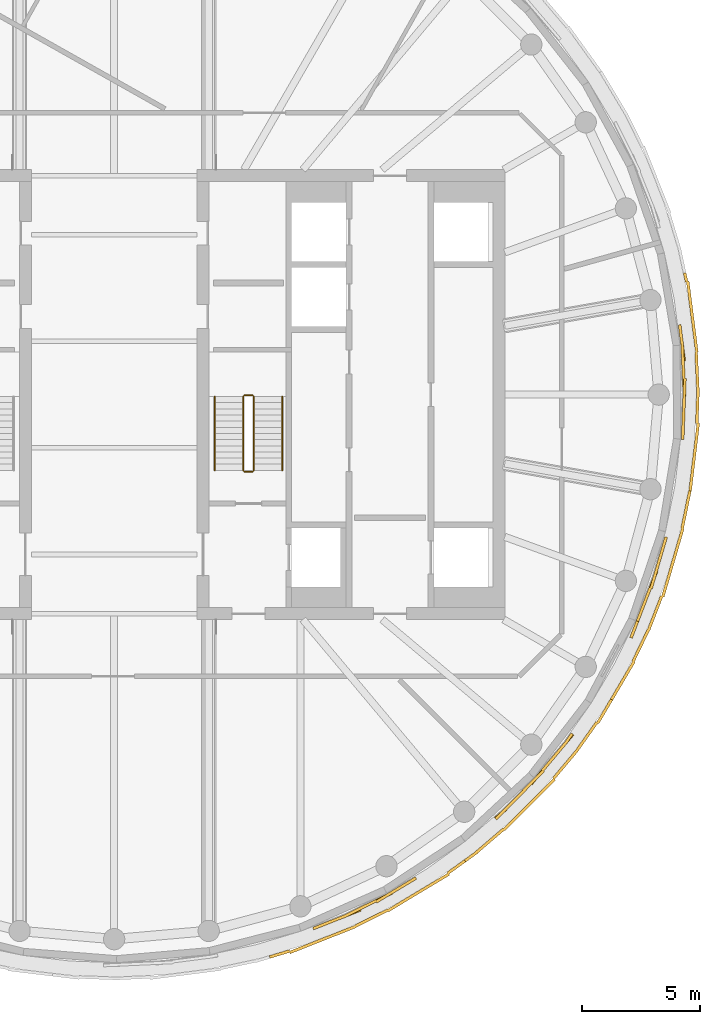
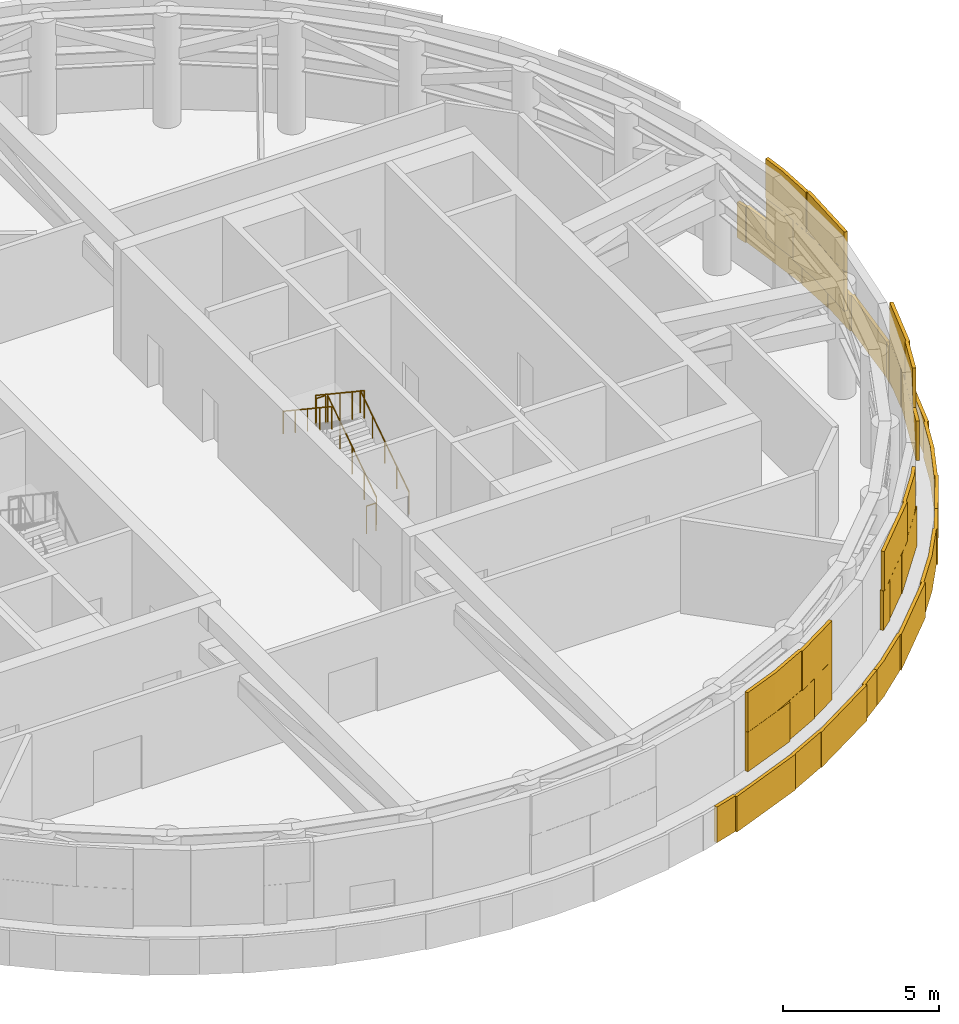
# One storey, part 13 of 15: 6 railings, 4 coverings.
"""IFC4 building model written with IfcOpenShell, lengths in metres."""

from ifc_helpers import new_model, si_unit, direction, frame, origin, origin_2d, place, context, subcontext, project, spatial, rectangle, circle, extrude, material, layer, layer_set, type_object, element, save


model = new_model("IFC4")

# Units and contexts
model_context = context("Model", 3, precision=1e-05, world=origin(), true_north=direction((0.0, 1.0)))
body_context = subcontext(model_context, "Body", "Model", "MODEL_VIEW")
ifc_project = project(units=[si_unit("LENGTHUNIT", "METRE"), si_unit("AREAUNIT", "SQUARE_METRE"), si_unit("VOLUMEUNIT", "CUBIC_METRE"), si_unit("PLANEANGLEUNIT", "RADIAN"), si_unit("MASSUNIT", "GRAM", prefix="KILO")], contexts=[model_context])

# Site, building, storey
site_placement = place(None, origin())
site = spatial("IfcSite", under=ifc_project, at=site_placement, CompositionType="ELEMENT")
building_placement = place(site_placement, origin())
building = spatial("IfcBuilding", under=site, at=building_placement, Name="Tamarind Cross Interchange Tower", CompositionType="ELEMENT")
storey_placement = place(building_placement, frame((0.0, 0.0, 252.300048828125)))
storey = spatial("IfcBuildingStorey", under=building, at=storey_placement, Name="L64", CompositionType="ELEMENT", Elevation=252.300048828125)

# Railings
ifc_material_1 = material(Name="Stair guard")
railing_type_1 = type_object("IfcRailingType", Name="Stair guard", PredefinedType="GUARDRAIL", material=ifc_material_1)
railing_1_placement = place(storey_placement, frame((5.89990234375, -3.199951171875, 0.173095703125)))
element("IfcRailing", 1, at=railing_1_placement, inside=storey, type_object=railing_type_1, Name="L64 ST2 stair guard 1", PredefinedType="GUARDRAIL", context=body_context, shape_type="SweptSolid", body=[
    extrude(circle(Radius=0.02392578125, at=origin_2d()), frame((0.0, 0.0, 1.076171875), z_axis=(0.0, 0.832420903958, 0.554143879018), x_axis=(-1.0, 0.0, 0.0)), (0.0, 0.0, 1.0), 3.748046875),
    extrude(circle(Radius=0.02099609375, at=origin_2d()), origin(), (0.0, 0.0, 1.0), 1.052001953125),
    extrude(circle(Radius=0.02099609375, at=origin_2d()), frame((0.0, 0.780029296875, 0.519287109375)), (0.0, 0.0, 1.0), 1.052001953125),
    extrude(circle(Radius=0.02099609375, at=origin_2d()), frame((0.0, 1.56005859375, 1.03857421875)), (0.0, 0.0, 1.0), 1.052001953125),
    extrude(circle(Radius=0.02099609375, at=origin_2d()), frame((0.0, 2.33984375, 1.5576171875)), (0.0, 0.0, 1.0), 1.052001953125),
    extrude(circle(Radius=0.02099609375, at=origin_2d()), frame((0.0, 3.119873046875, 2.076904296875)), (0.0, 0.0, 1.0), 1.052001953125),
])
railing_2_placement = place(storey_placement, frame((5.85009765625, -0.030029296875, 2.25)))
element("IfcRailing", 2, at=railing_2_placement, inside=storey, type_object=railing_type_1, Name="L64 ST2 stair guard 2", PredefinedType="GUARDRAIL", context=body_context, shape_type="SweptSolid", body=[
    extrude(circle(Radius=0.02392578125, at=origin_2d()), frame((0.0, 0.0, 1.076171875), z_axis=(-1.0, 0.0, 0.0), x_axis=(0.0, -1.0, 0.0)), (0.0, 0.0, 1.0), 0.35009765625),
    extrude(circle(Radius=0.02099609375, at=origin_2d()), origin(), (0.0, 0.0, 1.0), 1.052001953125),
    extrude(circle(Radius=0.02099609375, at=origin_2d()), frame((-0.35009765625, 0.0, 0.0)), (0.0, 0.0, 1.0), 1.052001953125),
])
railing_3_placement = place(storey_placement, frame((5.449951171875, -0.080078125, 2.423095703125)))
element("IfcRailing", 3, at=railing_3_placement, inside=storey, type_object=railing_type_1, Name="L64 ST2 stair guard 3", PredefinedType="GUARDRAIL", context=body_context, shape_type="SweptSolid", body=[
    extrude(circle(Radius=0.02392578125, at=origin_2d()), frame((0.0, 0.0, 1.076171875), z_axis=(0.0, -0.832420903958, 0.554143879018), x_axis=(1.0, 0.0, 0.0)), (0.0, 0.0, 1.0), 3.748046875),
    extrude(circle(Radius=0.02099609375, at=origin_2d()), origin(), (0.0, 0.0, 1.0), 1.052001953125),
    extrude(circle(Radius=0.02099609375, at=origin_2d()), frame((0.0, -0.780029296875, 0.519287109375)), (0.0, 0.0, 1.0), 1.052001953125),
    extrude(circle(Radius=0.02099609375, at=origin_2d()), frame((0.0, -1.56005859375, 1.03857421875)), (0.0, 0.0, 1.0), 1.052001953125),
    extrude(circle(Radius=0.02099609375, at=origin_2d()), frame((0.0, -2.33984375, 1.5576171875)), (0.0, 0.0, 1.0), 1.052001953125),
    extrude(circle(Radius=0.02099609375, at=origin_2d()), frame((0.0, -3.119873046875, 2.076904296875)), (0.0, 0.0, 1.0), 1.052001953125),
])
railing_4_placement = place(storey_placement, frame((5.85009765625, -3.25, 0.0)))
element("IfcRailing", 4, at=railing_4_placement, inside=storey, type_object=railing_type_1, Name="L64 ST2 stair guard 4", PredefinedType="GUARDRAIL", context=body_context, shape_type="SweptSolid", body=[
    extrude(circle(Radius=0.02392578125, at=origin_2d()), frame((0.0, 0.0, 1.076171875), z_axis=(-1.0, 0.0, 0.0), x_axis=(0.0, -1.0, 0.0)), (0.0, 0.0, 1.0), 0.35009765625),
    extrude(circle(Radius=0.02099609375, at=origin_2d()), origin(), (0.0, 0.0, 1.0), 1.052001953125),
    extrude(circle(Radius=0.02099609375, at=origin_2d()), frame((-0.35009765625, 0.0, 0.0)), (0.0, 0.0, 1.0), 1.052001953125),
])
ifc_material_2 = material(Name="Stair handrail")
railing_type_2 = type_object("IfcRailingType", Name="Stair handrail", PredefinedType="HANDRAIL", material=ifc_material_2)
railing_5_placement = place(storey_placement, frame((7.10009765625, -3.199951171875, 0.173095703125)))
element("IfcRailing", 5, at=railing_5_placement, inside=storey, type_object=railing_type_2, Name="L64 ST2 stair handrail 1", PredefinedType="HANDRAIL", context=body_context, shape_type="SweptSolid", body=[
    extrude(circle(Radius=0.02392578125, at=origin_2d()), frame((0.0, 0.0, 0.8759765625), z_axis=(0.0, 0.832420903958, 0.554143879018), x_axis=(-1.0, 0.0, 0.0)), (0.0, 0.0, 1.0), 3.748046875),
    extrude(circle(Radius=0.02099609375, at=origin_2d()), origin(), (0.0, 0.0, 1.0), 0.851806640625),
    extrude(circle(Radius=0.02099609375, at=origin_2d()), frame((0.0, 0.780029296875, 0.519287109375)), (0.0, 0.0, 1.0), 0.851806640625),
    extrude(circle(Radius=0.02099609375, at=origin_2d()), frame((0.0, 1.56005859375, 1.03857421875)), (0.0, 0.0, 1.0), 0.851806640625),
    extrude(circle(Radius=0.02099609375, at=origin_2d()), frame((0.0, 2.33984375, 1.5576171875)), (0.0, 0.0, 1.0), 0.851806640625),
    extrude(circle(Radius=0.02099609375, at=origin_2d()), frame((0.0, 3.119873046875, 2.076904296875)), (0.0, 0.0, 1.0), 0.851806640625),
])
railing_6_placement = place(storey_placement, frame((4.25, -0.080078125, 2.423095703125)))
element("IfcRailing", 6, at=railing_6_placement, inside=storey, type_object=railing_type_2, Name="L64 ST2 stair handrail 2", PredefinedType="HANDRAIL", context=body_context, shape_type="SweptSolid", body=[
    extrude(circle(Radius=0.02392578125, at=origin_2d()), frame((0.0, 0.0, 0.8759765625), z_axis=(0.0, -0.832420903958, 0.554143879018), x_axis=(1.0, 0.0, 0.0)), (0.0, 0.0, 1.0), 3.748046875),
    extrude(circle(Radius=0.02099609375, at=origin_2d()), origin(), (0.0, 0.0, 1.0), 0.851806640625),
    extrude(circle(Radius=0.02099609375, at=origin_2d()), frame((0.0, -0.780029296875, 0.519287109375)), (0.0, 0.0, 1.0), 0.851806640625),
    extrude(circle(Radius=0.02099609375, at=origin_2d()), frame((0.0, -1.56005859375, 1.03857421875)), (0.0, 0.0, 1.0), 0.851806640625),
    extrude(circle(Radius=0.02099609375, at=origin_2d()), frame((0.0, -2.33984375, 1.5576171875)), (0.0, 0.0, 1.0), 0.851806640625),
    extrude(circle(Radius=0.02099609375, at=origin_2d()), frame((0.0, -3.119873046875, 2.076904296875)), (0.0, 0.0, 1.0), 0.851806640625),
])

# Coverings
ifc_material_3 = material(Name="Terracotta", Category="masonry")
ifc_layer = layer(ifc_material_3, 0.1201171875)
ifc_layer_set = layer_set([ifc_layer], Name="Terracotta")
covering_type = type_object("IfcCoveringType", Name="Terracotta baguette screen unit", PredefinedType="MOLDING", material=ifc_layer_set)
covering_1_placement = place(storey_placement, origin())
element("IfcCovering", 7, at=covering_1_placement, inside=storey, type_object=covering_type, Name="SCR-L64-01-04", PredefinedType="MOLDING", context=body_context, shape_type="SweptSolid", body=[
    extrude(rectangle(XDim=0.658935546875, YDim=0.1201171875, at=origin_2d()), frame((8.7099609375, -22.434326171875, 1.404052734375), z_axis=(0.0, 0.0, 1.0), x_axis=(0.930018078613, 0.367513773146, 0.0)), (0.0, 0.0, 1.0), 1.5419921875),
    extrude(rectangle(XDim=1.52001953125, YDim=0.1201171875, at=origin_2d()), frame((9.709228515625, -22.03955078125, 1.404052734375), z_axis=(0.0, 0.0, 1.0), x_axis=(0.930018078613, 0.367513773146, 0.0)), (0.0, 0.0, 1.0), 1.5419921875),
    extrude(rectangle(XDim=1.52001953125, YDim=0.1201171875, at=origin_2d()), frame((11.05615234375, -21.3798828125, 1.404052734375), z_axis=(0.0, 0.0, 1.0), x_axis=(0.896492548518, 0.443058811505, 0.0)), (0.0, 0.0, 1.0), 1.5419921875),
    extrude(rectangle(XDim=1.204345703125, YDim=0.1201171875, at=origin_2d()), frame((12.232421875, -20.7255859375, 1.404052734375), z_axis=(0.0, 0.0, 1.0), x_axis=(0.856843065292, 0.515577308909, 0.0)), (0.0, 0.0, 1.0), 1.5419921875),
    extrude(rectangle(XDim=1.408935546875, YDim=0.1201171875, at=origin_2d()), frame((9.05859375, -22.296630859375, 2.953857421875), z_axis=(0.0, 0.0, 1.0), x_axis=(0.930018078613, 0.367513773146, 0.0)), (0.0, 0.0, 1.0), 1.5419921875),
    extrude(rectangle(XDim=1.52001953125, YDim=0.1201171875, at=origin_2d()), frame((10.3837890625, -21.712158203125, 2.953857421875), z_axis=(0.0, 0.0, 1.0), x_axis=(0.896492548518, 0.443058811505, 0.0)), (0.0, 0.0, 1.0), 1.5419921875),
    extrude(rectangle(XDim=1.52001953125, YDim=0.1201171875, at=origin_2d()), frame((11.720703125, -21.03369140625, 2.953857421875), z_axis=(0.0, 0.0, 1.0), x_axis=(0.856843065292, 0.515577308909, 0.0)), (0.0, 0.0, 1.0), 1.5419921875),
    extrude(rectangle(XDim=0.454345703125, YDim=0.1201171875, at=origin_2d()), frame((12.5537109375, -20.5322265625, 2.953857421875), z_axis=(0.0, 0.0, 1.0), x_axis=(0.856843065292, 0.515577308909, 0.0)), (0.0, 0.0, 1.0), 1.5419921875),
    extrude(rectangle(XDim=0.8857421875, YDim=0.1201171875, at=origin_2d()), frame((6.9892578125, -23.6279296875, 0.00390625), z_axis=(0.0, 0.0, 1.0), x_axis=(0.957190642199, 0.289458243079, 0.0)), (0.0, 0.0, 1.0), 1.39208984375),
    extrude(rectangle(XDim=1.52001953125, YDim=0.1201171875, at=origin_2d()), frame((8.12109375, -23.284423828125, 0.00390625), z_axis=(0.0, 0.0, 1.0), x_axis=(0.930018078613, 0.367513773146, 0.0)), (0.0, 0.0, 1.0), 1.39208984375),
    extrude(rectangle(XDim=1.52001953125, YDim=0.1201171875, at=origin_2d()), frame((9.51611328125, -22.733154296875, 0.00390625), z_axis=(0.0, 0.0, 1.0), x_axis=(0.930018078613, 0.367513773146, 0.0)), (0.0, 0.0, 1.0), 1.39208984375),
    extrude(rectangle(XDim=1.52001953125, YDim=0.1201171875, at=origin_2d()), frame((10.87841796875, -22.108154296875, 0.00390625), z_axis=(0.0, 0.0, 1.0), x_axis=(0.896492548518, 0.443058811505, 0.0)), (0.0, 0.0, 1.0), 1.39208984375),
    extrude(rectangle(XDim=1.52001953125, YDim=0.1201171875, at=origin_2d()), frame((12.20556640625, -21.41162109375, 0.00390625), z_axis=(0.0, 0.0, 1.0), x_axis=(0.856843065292, 0.515577308909, 0.0)), (0.0, 0.0, 1.0), 1.39208984375),
    extrude(rectangle(XDim=1.52001953125, YDim=0.1201171875, at=origin_2d()), frame((13.490966796875, -20.638427734375, 0.00390625), z_axis=(0.0, 0.0, 1.0), x_axis=(0.856843065292, 0.515577308909, 0.0)), (0.0, 0.0, 1.0), 1.39208984375),
    extrude(rectangle(XDim=0.893310546875, YDim=0.1201171875, at=origin_2d()), frame((14.458251953125, -19.95166015625, 0.00390625), z_axis=(0.0, 0.0, 1.0), x_axis=(0.811340475102, 0.584573890505, 0.0)), (0.0, 0.0, 1.0), 1.39208984375),
])
covering_2_placement = place(storey_placement, origin())
element("IfcCovering", 8, at=covering_2_placement, inside=storey, type_object=covering_type, Name="SCR-L64-01-05", PredefinedType="MOLDING", context=body_context, shape_type="SweptSolid", body=[
    extrude(rectangle(XDim=0.615478515625, YDim=0.1201171875, at=origin_2d()), frame((16.327392578125, -17.702880859375, 1.404052734375), z_axis=(0.0, 0.0, 1.0), x_axis=(0.760295606781, 0.64957723968, 0.0)), (0.0, 0.0, 1.0), 1.5419921875),
    extrude(rectangle(XDim=1.52001953125, YDim=0.1201171875, at=origin_2d()), frame((17.0732421875, -16.960205078125, 1.404052734375), z_axis=(0.0, 0.0, 1.0), x_axis=(0.704057148523, 0.710143317658, 0.0)), (0.0, 0.0, 1.0), 1.5419921875),
    extrude(rectangle(XDim=1.52001953125, YDim=0.1201171875, at=origin_2d()), frame((18.099853515625, -15.8681640625, 1.404052734375), z_axis=(0.0, 0.0, 1.0), x_axis=(0.643009266048, 0.765858396687, 0.0)), (0.0, 0.0, 1.0), 1.5419921875),
    extrude(rectangle(XDim=1.2470703125, YDim=0.1201171875, at=origin_2d()), frame((18.97998046875, -14.820068359375, 1.404052734375), z_axis=(0.0, 0.0, 1.0), x_axis=(0.643009266048, 0.765858396687, 0.0)), (0.0, 0.0, 1.0), 1.5419921875),
    extrude(rectangle(XDim=1.365478515625, YDim=0.1201171875, at=origin_2d()), frame((16.595947265625, -17.441650390625, 2.953857421875), z_axis=(0.0, 0.0, 1.0), x_axis=(0.704057148523, 0.710143317658, 0.0)), (0.0, 0.0, 1.0), 1.5419921875),
    extrude(rectangle(XDim=1.52001953125, YDim=0.1201171875, at=origin_2d()), frame((17.601318359375, -16.427734375, 2.953857421875), z_axis=(0.0, 0.0, 1.0), x_axis=(0.704057148523, 0.710143317658, 0.0)), (0.0, 0.0, 1.0), 1.5419921875),
    extrude(rectangle(XDim=1.52001953125, YDim=0.1201171875, at=origin_2d()), frame((18.582275390625, -15.2939453125, 2.953857421875), z_axis=(0.0, 0.0, 1.0), x_axis=(0.643009266048, 0.765858396687, 0.0)), (0.0, 0.0, 1.0), 1.5419921875),
    extrude(rectangle(XDim=0.4970703125, YDim=0.1201171875, at=origin_2d()), frame((19.205810546875, -14.521240234375, 2.953857421875), z_axis=(0.0, 0.0, 1.0), x_axis=(0.577568978284, 0.816341886298, 0.0)), (0.0, 0.0, 1.0), 1.5419921875),
    extrude(rectangle(XDim=0.626708984375, YDim=0.1201171875, at=origin_2d()), frame((15.074951171875, -19.50732421875, 0.00390625), z_axis=(0.0, 0.0, 1.0), x_axis=(0.811340475102, 0.584573890505, 0.0)), (0.0, 0.0, 1.0), 1.39208984375),
    extrude(rectangle(XDim=1.52001953125, YDim=0.1201171875, at=origin_2d()), frame((15.885498046875, -18.83544921875, 0.00390625), z_axis=(0.0, 0.0, 1.0), x_axis=(0.760295606781, 0.64957723968, 0.0)), (0.0, 0.0, 1.0), 1.39208984375),
    extrude(rectangle(XDim=1.52001953125, YDim=0.1201171875, at=origin_2d()), frame((17.0078125, -17.841552734375, 0.00390625), z_axis=(0.0, 0.0, 1.0), x_axis=(0.704057148523, 0.710143317658, 0.0)), (0.0, 0.0, 1.0), 1.39208984375),
    extrude(rectangle(XDim=1.52001953125, YDim=0.1201171875, at=origin_2d()), frame((18.06396484375, -16.7763671875, 0.00390625), z_axis=(0.0, 0.0, 1.0), x_axis=(0.704057148523, 0.710143317658, 0.0)), (0.0, 0.0, 1.0), 1.39208984375),
    extrude(rectangle(XDim=1.52001953125, YDim=0.1201171875, at=origin_2d()), frame((19.04150390625, -15.6396484375, 0.00390625), z_axis=(0.0, 0.0, 1.0), x_axis=(0.643009266048, 0.765858396687, 0.0)), (0.0, 0.0, 1.0), 1.39208984375),
    extrude(rectangle(XDim=1.52001953125, YDim=0.1201171875, at=origin_2d()), frame((19.95703125, -14.453125, 0.00390625), z_axis=(0.0, 0.0, 1.0), x_axis=(0.577568978284, 0.816341886298, 0.0)), (0.0, 0.0, 1.0), 1.39208984375),
    extrude(rectangle(XDim=1.15185546875, YDim=0.1201171875, at=origin_2d()), frame((20.71533203125, -13.377685546875, 0.00390625), z_axis=(0.0, 0.0, 1.0), x_axis=(0.508183308752, 0.861248933065, 0.0)), (0.0, 0.0, 1.0), 1.39208984375),
])
covering_3_placement = place(storey_placement, origin())
element("IfcCovering", 9, at=covering_3_placement, inside=storey, type_object=covering_type, Name="SCR-L64-01-06", PredefinedType="MOLDING", context=body_context, shape_type="SweptSolid", body=[
    extrude(rectangle(XDim=1.52001953125, YDim=0.1201171875, at=origin_2d()), frame((22.105224609375, -9.563232421875, 1.404052734375), z_axis=(0.0, 0.0, 1.0), x_axis=(0.359495435512, 0.933146843667, 0.0)), (0.0, 0.0, 1.0), 1.5419921875),
    extrude(rectangle(XDim=1.52001953125, YDim=0.1201171875, at=origin_2d()), frame((22.64453125, -8.16357421875, 1.404052734375), z_axis=(0.0, 0.0, 1.0), x_axis=(0.359495435512, 0.933146843667, 0.0)), (0.0, 0.0, 1.0), 1.5419921875),
    extrude(rectangle(XDim=1.505615234375, YDim=0.1201171875, at=origin_2d()), frame((23.102783203125, -6.73876953125, 1.404052734375), z_axis=(0.0, 0.0, 1.0), x_axis=(0.281208920763, 0.95964657186, 0.0)), (0.0, 0.0, 1.0), 1.5419921875),
    extrude(rectangle(XDim=1.52001953125, YDim=0.1201171875, at=origin_2d()), frame((22.375, -8.863525390625, 2.953857421875), z_axis=(0.0, 0.0, 1.0), x_axis=(0.359495435512, 0.933146843667, 0.0)), (0.0, 0.0, 1.0), 1.5419921875),
    extrude(rectangle(XDim=1.52001953125, YDim=0.1201171875, at=origin_2d()), frame((22.892333984375, -7.456298828125, 2.953857421875), z_axis=(0.0, 0.0, 1.0), x_axis=(0.281208920763, 0.95964657186, 0.0)), (0.0, 0.0, 1.0), 1.5419921875),
    extrude(rectangle(XDim=0.755615234375, YDim=0.1201171875, at=origin_2d()), frame((23.208251953125, -6.37890625, 2.953857421875), z_axis=(0.0, 0.0, 1.0), x_axis=(0.281208920763, 0.95964657186, 0.0)), (0.0, 0.0, 1.0), 1.5419921875),
    extrude(rectangle(XDim=0.3681640625, YDim=0.1201171875, at=origin_2d()), frame((21.1015625, -12.72314453125, 0.00390625), z_axis=(0.0, 0.0, 1.0), x_axis=(0.508183308752, 0.861248933065, 0.0)), (0.0, 0.0, 1.0), 1.39208984375),
    extrude(rectangle(XDim=1.52001953125, YDim=0.1201171875, at=origin_2d()), frame((21.5712890625, -11.92724609375, 0.00390625), z_axis=(0.0, 0.0, 1.0), x_axis=(0.508183308752, 0.861248933065, 0.0)), (0.0, 0.0, 1.0), 1.39208984375),
    extrude(rectangle(XDim=1.52001953125, YDim=0.1201171875, at=origin_2d()), frame((22.248291015625, -10.589599609375, 0.00390625), z_axis=(0.0, 0.0, 1.0), x_axis=(0.435326231914, 0.900272776334, 0.0)), (0.0, 0.0, 1.0), 1.39208984375),
    extrude(rectangle(XDim=1.52001953125, YDim=0.1201171875, at=origin_2d()), frame((22.853271484375, -9.218505859375, 0.00390625), z_axis=(0.0, 0.0, 1.0), x_axis=(0.359495435512, 0.933146843667, 0.0)), (0.0, 0.0, 1.0), 1.39208984375),
    extrude(rectangle(XDim=1.52001953125, YDim=0.1201171875, at=origin_2d()), frame((23.385009765625, -7.81640625, 0.00390625), z_axis=(0.0, 0.0, 1.0), x_axis=(0.281208920763, 0.95964657186, 0.0)), (0.0, 0.0, 1.0), 1.39208984375),
    extrude(rectangle(XDim=1.52001953125, YDim=0.1201171875, at=origin_2d()), frame((23.806884765625, -6.376708984375, 0.00390625), z_axis=(0.0, 0.0, 1.0), x_axis=(0.281208920763, 0.95964657186, 0.0)), (0.0, 0.0, 1.0), 1.39208984375),
    extrude(rectangle(XDim=1.52001953125, YDim=0.1201171875, at=origin_2d()), frame((24.14404296875, -4.916259765625, 0.00390625), z_axis=(0.0, 0.0, 1.0), x_axis=(0.201001463943, 0.9795909409, 0.0)), (0.0, 0.0, 1.0), 1.39208984375),
    extrude(rectangle(XDim=0.131103515625, YDim=0.1201171875, at=origin_2d()), frame((24.305908203125, -4.127197265625, 0.00390625), z_axis=(0.0, 0.0, 1.0), x_axis=(0.201001463943, 0.9795909409, 0.0)), (0.0, 0.0, 1.0), 1.39208984375),
])
covering_4_placement = place(storey_placement, origin())
element("IfcCovering", 10, at=covering_4_placement, inside=storey, type_object=covering_type, Name="SCR-L64-01-07", PredefinedType="MOLDING", context=body_context, shape_type="SweptSolid", body=[
    extrude(rectangle(XDim=0.314453125, YDim=0.1201171875, at=origin_2d()), frame((24.017822265625, -1.732666015625, 1.404052734375), z_axis=(0.0, 0.0, 1.0), x_axis=(0.037024696392, 0.999314350871, 0.0)), (0.0, 0.0, 1.0), 1.5419921875),
    extrude(rectangle(XDim=1.52001953125, YDim=0.1201171875, at=origin_2d()), frame((24.05126953125, -0.8310546875, 1.404052734375), z_axis=(0.0, 0.0, 1.0), x_axis=(0.037024696392, 0.999314350871, 0.0)), (0.0, 0.0, 1.0), 1.5419921875),
    extrude(rectangle(XDim=1.52001953125, YDim=0.1201171875, at=origin_2d()), frame((24.06005859375, 0.667724609375, 1.404052734375), z_axis=(0.0, 0.0, 1.0), x_axis=(-0.045624486728, 0.998958660912, 0.0)), (0.0, 0.0, 1.0), 1.5419921875),
    extrude(rectangle(XDim=1.52001953125, YDim=0.1201171875, at=origin_2d()), frame((23.985595703125, 2.16552734375, 1.404052734375), z_axis=(0.0, 0.0, 1.0), x_axis=(-0.127962008342, 0.991779070368, 0.0)), (0.0, 0.0, 1.0), 1.5419921875),
    extrude(rectangle(XDim=1.064453125, YDim=0.1201171875, at=origin_2d()), frame((24.03173828125, -1.35791015625, 2.953857421875), z_axis=(0.0, 0.0, 1.0), x_axis=(0.037024696392, 0.999314350871, 0.0)), (0.0, 0.0, 1.0), 1.5419921875),
    extrude(rectangle(XDim=1.52001953125, YDim=0.1201171875, at=origin_2d()), frame((24.078857421875, -0.08154296875, 2.953857421875), z_axis=(0.0, 0.0, 1.0), x_axis=(0.037024696392, 0.999314350871, 0.0)), (0.0, 0.0, 1.0), 1.5419921875),
    extrude(rectangle(XDim=1.52001953125, YDim=0.1201171875, at=origin_2d()), frame((24.02587890625, 1.416748046875, 2.953857421875), z_axis=(0.0, 0.0, 1.0), x_axis=(-0.045624486728, 0.998958660912, 0.0)), (0.0, 0.0, 1.0), 1.5419921875),
    extrude(rectangle(XDim=0.79833984375, YDim=0.1201171875, at=origin_2d()), frame((23.93505859375, 2.556396484375, 2.953857421875), z_axis=(0.0, 0.0, 1.0), x_axis=(-0.127962008342, 0.991779070368, 0.0)), (0.0, 0.0, 1.0), 1.5419921875),
    extrude(rectangle(XDim=1.388916015625, YDim=0.1201171875, at=origin_2d()), frame((24.4111328125, -3.375, 0.00390625), z_axis=(0.0, 0.0, 1.0), x_axis=(0.119420963295, 0.992843710523, 0.0)), (0.0, 0.0, 1.0), 1.39208984375),
    extrude(rectangle(XDim=1.52001953125, YDim=0.1201171875, at=origin_2d()), frame((24.58251953125, -1.95068359375, 0.00390625), z_axis=(0.0, 0.0, 1.0), x_axis=(0.119420963295, 0.992843710523, 0.0)), (0.0, 0.0, 1.0), 1.39208984375),
    extrude(rectangle(XDim=1.52001953125, YDim=0.1201171875, at=origin_2d()), frame((24.6396484375, -0.451904296875, 0.00390625), z_axis=(0.0, 0.0, 1.0), x_axis=(0.037024696392, 0.999314350871, 0.0)), (0.0, 0.0, 1.0), 1.39208984375),
    extrude(rectangle(XDim=1.52001953125, YDim=0.1201171875, at=origin_2d()), frame((24.617431640625, 1.046630859375, 0.00390625), z_axis=(0.0, 0.0, 1.0), x_axis=(-0.045624486728, 0.998958660912, 0.0)), (0.0, 0.0, 1.0), 1.39208984375),
    extrude(rectangle(XDim=1.52001953125, YDim=0.1201171875, at=origin_2d()), frame((24.515625, 2.542236328125, 0.00390625), z_axis=(0.0, 0.0, 1.0), x_axis=(-0.127962008342, 0.991779070368, 0.0)), (0.0, 0.0, 1.0), 1.39208984375),
    extrude(rectangle(XDim=1.52001953125, YDim=0.1201171875, at=origin_2d()), frame((24.32373046875, 4.030029296875, 0.00390625), z_axis=(0.0, 0.0, 1.0), x_axis=(-0.127962008342, 0.991779070368, 0.0)), (0.0, 0.0, 1.0), 1.39208984375),
    extrude(rectangle(XDim=0.389404296875, YDim=0.1201171875, at=origin_2d()), frame((24.138916015625, 4.94580078125, 0.00390625), z_axis=(0.0, 0.0, 1.0), x_axis=(-0.209425419705, 0.977824623121, 0.0)), (0.0, 0.0, 1.0), 1.39208984375),
])

save(model, "model.ifc")
